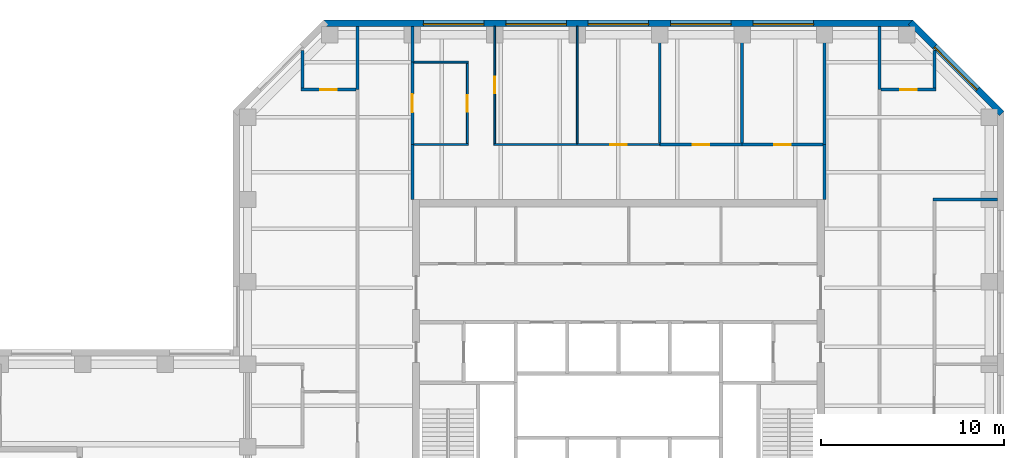
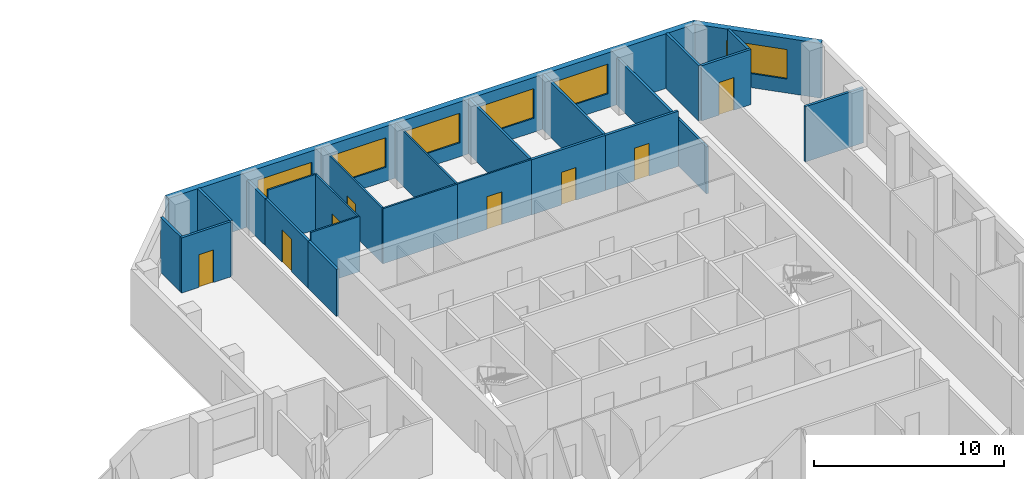
# One storey, part 7 of 9: 25 walls, 8 doors, 6 windows, 14 openings.
"""IFC4 building model written with IfcOpenShell, lengths in metres."""

from ifc_helpers import new_model, si_unit, direction, frame, frame_2d, origin, place, context, subcontext, project, spatial, rectangle, extrude, material, layer, layer_set, constituent, constituent_set, type_object, element, fill, save


model = new_model("IFC4")

# Units and contexts
model_context = context("Model", 3, precision=1e-05, world=origin(), true_north=direction((0.0, 1.0)))
body_context = subcontext(model_context, "Body", "Model", "MODEL_VIEW")
ifc_project = project(units=[si_unit("LENGTHUNIT", "METRE"), si_unit("AREAUNIT", "SQUARE_METRE"), si_unit("VOLUMEUNIT", "CUBIC_METRE"), si_unit("PLANEANGLEUNIT", "RADIAN"), si_unit("MASSUNIT", "GRAM", prefix="KILO")], contexts=[model_context])

# Site, building, storey
site_placement = place(None, origin())
site = spatial("IfcSite", under=ifc_project, at=site_placement, CompositionType="ELEMENT")
building_placement = place(site_placement, origin())
building = spatial("IfcBuilding", under=site, at=building_placement, Name="Quoin Convention Tower", CompositionType="ELEMENT")
storey_placement = place(building_placement, frame((0.0, 0.0, 151.39990234375)))
storey = spatial("IfcBuildingStorey", under=building, at=storey_placement, Name="L39", CompositionType="ELEMENT", Elevation=151.39990234375)

# Wall
ifc_material_1 = material(Name="Plasterboard")
ifc_layer_1 = layer(ifc_material_1, 0.012451171875, Name="Finish")
ifc_material_2 = material(Name="Steel stud framing", Category="steel")
ifc_layer_2 = layer(ifc_material_2, 0.125, Name="Structure")
ifc_layer_3 = layer(ifc_material_1, 0.012451171875, Name="Finish")
ifc_layer_set_1 = layer_set([ifc_layer_1, ifc_layer_2, ifc_layer_3], Name="Steel stud framing")
wall_type_1 = type_object("IfcWallType", Name="Acoustic partition 150", PredefinedType="PARTITIONING", material=ifc_layer_set_1)
wall_1_placement = place(storey_placement, frame((73.425048828125, 72.0, 0.0), z_axis=(0.0, 0.0, 1.0), x_axis=(1.0, 0.0, 0.0)))
element("IfcWall", 1, at=wall_1_placement, inside=storey, type_object=wall_type_1, Name="pw-L39-030", PredefinedType="PARTITIONING", context=body_context, shape_type="SweptSolid", body=[
    extrude(rectangle(XDim=3.52490234375, YDim=0.14990234375, at=frame_2d((1.762451171875, 0.0))), origin(), (0.0, 0.0, 1.0), 3.550048828125),
])

# Wall, opening, door
wall_2_placement = place(storey_placement, frame((58.5, 75.0, 0.0), z_axis=(0.0, 0.0, 1.0), x_axis=(1.0, 0.0, 0.0)))
wall_2 = element("IfcWall", 2, at=wall_2_placement, inside=storey, type_object=wall_type_1, Name="pw-L39-034", PredefinedType="PARTITIONING", context=body_context, shape_type="SweptSolid", body=[
    extrude(rectangle(XDim=4.5, YDim=0.14990234375, at=frame_2d((2.25, 0.0))), origin(), (0.0, 0.0, 1.0), 3.550048828125),
])
opening_1_placement = place(wall_2_placement, frame((1.800048828125, 0.0, 0.0)))
opening_1 = element("IfcOpeningElement", 3, at=opening_1_placement, cuts=wall_2, Name="Opening DOH1-08", PredefinedType="OPENING", context=body_context, shape_type="SweptSolid", body=[
    extrude(rectangle(XDim=0.89990234375, YDim=2.10009765625, at=frame_2d((0.449951171875, 1.050048828125))), frame((0.0, 0.0849609375, 0.0), z_axis=(0.0, -1.0, 0.0), x_axis=(1.0, 0.0, 0.0)), (0.0, 0.0, 1.0), 0.169921875),
])
ifc_material_3 = material(Name="Steel door leaf", Category="steel")
door_type_1 = type_object("IfcDoorType", Name="Office door 900 x 2100", OperationType="SINGLE_SWING_RIGHT", PredefinedType="DOOR", material=ifc_material_3)
door_1_placement = place(opening_1_placement, frame((0.89990234375, 0.0, 0.0), z_axis=(0.0, 0.0, 1.0), x_axis=(-1.0, 0.0, 0.0)))
door_1 = element("IfcDoor", 4, at=door_1_placement, inside=storey, type_object=door_type_1, Name="dr-L39-26", OperationType="SINGLE_SWING_LEFT", OverallHeight=2.10009765625, OverallWidth=0.89990234375, PredefinedType="DOOR", context=body_context, shape_type="SweptSolid", body=[
    extrude(rectangle(XDim=0.89990234375, YDim=2.10009765625, at=frame_2d((0.449951171875, 1.050048828125))), frame((0.0, 0.02490234375, 0.0), z_axis=(0.0, -1.0, 0.0), x_axis=(1.0, 0.0, 0.0)), (0.0, 0.0, 1.0), 0.050048828125),
])
fill(opening_1, door_1)

wall_3_placement = place(storey_placement, frame((63.0, 75.0, 0.0), z_axis=(0.0, 0.0, 1.0), x_axis=(1.0, 0.0, 0.0)))
wall_3 = element("IfcWall", 5, at=wall_3_placement, inside=storey, type_object=wall_type_1, Name="pw-L39-035", PredefinedType="PARTITIONING", context=body_context, shape_type="SweptSolid", body=[
    extrude(rectangle(XDim=4.425048828125, YDim=0.14990234375, at=frame_2d((2.21240234375, 0.0))), origin(), (0.0, 0.0, 1.0), 3.550048828125),
])
opening_2_placement = place(wall_3_placement, frame((1.75, 0.0, 0.0)))
opening_2 = element("IfcOpeningElement", 6, at=opening_2_placement, cuts=wall_3, Name="Opening DOH1-09", PredefinedType="OPENING", context=body_context, shape_type="SweptSolid", body=[
    extrude(rectangle(XDim=0.89990234375, YDim=2.10009765625, at=frame_2d((0.449951171875, 1.050048828125))), frame((0.0, 0.0849609375, 0.0), z_axis=(0.0, -1.0, 0.0), x_axis=(1.0, 0.0, 0.0)), (0.0, 0.0, 1.0), 0.169921875),
])
door_2_placement = place(opening_2_placement, frame((0.89990234375, 0.0, 0.0), z_axis=(0.0, 0.0, 1.0), x_axis=(-1.0, 0.0, 0.0)))
door_2 = element("IfcDoor", 7, at=door_2_placement, inside=storey, type_object=door_type_1, Name="dr-L39-27", OperationType="SINGLE_SWING_LEFT", OverallHeight=2.10009765625, OverallWidth=0.89990234375, PredefinedType="DOOR", context=body_context, shape_type="SweptSolid", body=[
    extrude(rectangle(XDim=0.89990234375, YDim=2.10009765625, at=frame_2d((0.449951171875, 1.050048828125))), frame((0.0, 0.02490234375, 0.0), z_axis=(0.0, -1.0, 0.0), x_axis=(1.0, 0.0, 0.0)), (0.0, 0.0, 1.0), 0.050048828125),
])
fill(opening_2, door_2)

# Walls
for number, where, z_axis, x_axis, name in (
    (8, (58.5, 75.074951171875, 0.0), (0.0, 0.0, 1.0), (0.0, 1.0, 0.0), "pw-L39-085"),
    (9, (63.0, 75.074951171875, 0.0), (0.0, 0.0, 1.0), (0.0, 1.0, 0.0), "pw-L39-086"),
):
    element("IfcWall", number, at=place(storey_placement, frame(where, z_axis=z_axis, x_axis=x_axis)), inside=storey, type_object=wall_type_1, Name=name, PredefinedType="PARTITIONING", context=body_context, shape_type="SweptSolid", body=[
        extrude(rectangle(XDim=6.375, YDim=0.14990234375, at=frame_2d((3.1875, 0.0))), origin(), (0.0, 0.0, 1.0), 3.550048828125),
    ])

# Wall, opening, window
ifc_material_4 = material(Name="Brick masonry", Category="masonry")
ifc_layer_4 = layer(ifc_material_4, 0.35009765625)
ifc_layer_set_2 = layer_set([ifc_layer_4], Name="Brick masonry")
wall_type_2 = type_object("IfcWallType", Name="Brick facade wall", PredefinedType="STANDARD", material=ifc_layer_set_2)
wall_4_placement = place(storey_placement, frame((77.17626953125, 76.70751953125, 0.0), z_axis=(0.0, 0.0, 1.0), x_axis=(-0.707106781187, 0.707106781187, 0.0)))
wall_4 = element("IfcWall", 10, at=wall_4_placement, inside=storey, type_object=wall_type_2, Name="fw-L39-76500_76500", PredefinedType="STANDARD", context=body_context, shape_type="SweptSolid", body=[
    extrude(rectangle(XDim=7.02685546875, YDim=0.35009765625, at=frame_2d((3.513427734375, 0.0))), origin(), (0.0, 0.0, 1.0), 3.525146484375),
])
opening_3_placement = place(wall_4_placement, frame((1.86328125, 0.0, 0.89990234375)))
opening_3 = element("IfcOpeningElement", 11, at=opening_3_placement, cuts=wall_4, Name="Opening W-02", PredefinedType="OPENING", context=body_context, shape_type="SweptSolid", body=[
    extrude(rectangle(XDim=3.300048828125, YDim=1.89990234375, at=frame_2d((1.64990234375, 0.949951171875))), frame((0.0, 0.18505859375, 0.0), z_axis=(0.0, -1.0, 0.0), x_axis=(1.0, 0.0, 0.0)), (0.0, 0.0, 1.0), 0.3701171875),
])
ifc_material_5 = material(Name="Aluminium", Category="aluminium")
ifc_constituent_1 = constituent(ifc_material_5, Name="Frame")
ifc_material_6 = material(Name="Insulated glass", Category="glass")
ifc_constituent_2 = constituent(ifc_material_6, Name="Glazing")
ifc_constituent_set = constituent_set(constituents=[ifc_constituent_1, ifc_constituent_2], Name="Aluminium")
window_type = type_object("IfcWindowType", Name="Office window", PartitioningType="DOUBLE_PANEL_VERTICAL", PredefinedType="WINDOW", material=ifc_constituent_set)
window_1_placement = place(opening_3_placement, origin())
window_1 = element("IfcWindow", 12, at=window_1_placement, inside=storey, type_object=window_type, Name="win-L39-74692_79192", OverallHeight=1.89990234375, OverallWidth=3.300048828125, PartitioningType="SINGLE_PANEL", PredefinedType="WINDOW", context=body_context, shape_type="SweptSolid", body=[
    extrude(rectangle(XDim=3.300048828125, YDim=1.89990234375, at=frame_2d((1.64990234375, 0.949951171875))), frame((0.0, 0.0849609375, 0.0), z_axis=(0.0, -1.0, 0.0), x_axis=(1.0, 0.0, 0.0)), (0.0, 0.0, 1.0), 0.06005859375),
])
fill(opening_3, window_1)

# Wall, openings, windows
wall_5_placement = place(storey_placement, frame((72.331298828125, 81.625, 0.0), z_axis=(0.0, 0.0, 1.0), x_axis=(-1.0, 0.0, 0.0)))
wall_5 = element("IfcWall", 13, at=wall_5_placement, inside=storey, type_object=wall_type_2, Name="fw-L39-72000_81000", PredefinedType="STANDARD", context=body_context, shape_type="SweptSolid", body=[
    extrude(rectangle(XDim=32.16259765625, YDim=0.35009765625, at=frame_2d((16.081298828125, 0.0))), origin(), (0.0, 0.0, 1.0), 3.525146484375),
])
opening_4_placement = place(wall_5_placement, frame((5.431396484375, 0.0, 0.89990234375)))
opening_4 = element("IfcOpeningElement", 14, at=opening_4_placement, cuts=wall_5, Name="Opening W-02", PredefinedType="OPENING", context=body_context, shape_type="SweptSolid", body=[
    extrude(rectangle(XDim=3.300048828125, YDim=1.89990234375, at=frame_2d((1.64990234375, 0.949951171875))), frame((0.0, 0.18505859375, 0.0), z_axis=(0.0, -1.0, 0.0), x_axis=(1.0, 0.0, 0.0)), (0.0, 0.0, 1.0), 0.3701171875),
])
opening_5_placement = place(wall_5_placement, frame((9.931396484375, 0.0, 0.89990234375)))
opening_5 = element("IfcOpeningElement", 15, at=opening_5_placement, cuts=wall_5, Name="Opening W-02", PredefinedType="OPENING", context=body_context, shape_type="SweptSolid", body=[
    extrude(rectangle(XDim=3.300048828125, YDim=1.89990234375, at=frame_2d((1.64990234375, 0.949951171875))), frame((0.0, 0.18505859375, 0.0), z_axis=(0.0, -1.0, 0.0), x_axis=(1.0, 0.0, 0.0)), (0.0, 0.0, 1.0), 0.3701171875),
])
opening_6_placement = place(wall_5_placement, frame((14.431396484375, 0.0, 0.89990234375)))
opening_6 = element("IfcOpeningElement", 16, at=opening_6_placement, cuts=wall_5, Name="Opening W-02", PredefinedType="OPENING", context=body_context, shape_type="SweptSolid", body=[
    extrude(rectangle(XDim=3.300048828125, YDim=1.89990234375, at=frame_2d((1.64990234375, 0.949951171875))), frame((0.0, 0.18505859375, 0.0), z_axis=(0.0, -1.0, 0.0), x_axis=(1.0, 0.0, 0.0)), (0.0, 0.0, 1.0), 0.3701171875),
])
opening_7_placement = place(wall_5_placement, frame((18.931396484375, 0.0, 0.89990234375)))
opening_7 = element("IfcOpeningElement", 17, at=opening_7_placement, cuts=wall_5, Name="Opening W-02", PredefinedType="OPENING", context=body_context, shape_type="SweptSolid", body=[
    extrude(rectangle(XDim=3.300048828125, YDim=1.89990234375, at=frame_2d((1.64990234375, 0.949951171875))), frame((0.0, 0.18505859375, 0.0), z_axis=(0.0, -1.0, 0.0), x_axis=(1.0, 0.0, 0.0)), (0.0, 0.0, 1.0), 0.3701171875),
])
opening_8_placement = place(wall_5_placement, frame((23.431396484375, 0.0, 0.89990234375)))
opening_8 = element("IfcOpeningElement", 18, at=opening_8_placement, cuts=wall_5, Name="Opening W-02", PredefinedType="OPENING", context=body_context, shape_type="SweptSolid", body=[
    extrude(rectangle(XDim=3.300048828125, YDim=1.89990234375, at=frame_2d((1.64990234375, 0.949951171875))), frame((0.0, 0.18505859375, 0.0), z_axis=(0.0, -1.0, 0.0), x_axis=(1.0, 0.0, 0.0)), (0.0, 0.0, 1.0), 0.3701171875),
])
window_2_placement = place(opening_4_placement, origin())
window_2 = element("IfcWindow", 19, at=window_2_placement, inside=storey, type_object=window_type, Name="win-L39-65250_81625", OverallHeight=1.89990234375, OverallWidth=3.300048828125, PartitioningType="SINGLE_PANEL", PredefinedType="WINDOW", context=body_context, shape_type="SweptSolid", body=[
    extrude(rectangle(XDim=3.300048828125, YDim=1.89990234375, at=frame_2d((1.64990234375, 0.949951171875))), frame((0.0, 0.0849609375, 0.0), z_axis=(0.0, -1.0, 0.0), x_axis=(1.0, 0.0, 0.0)), (0.0, 0.0, 1.0), 0.06005859375),
])
fill(opening_4, window_2)
window_3_placement = place(opening_5_placement, origin())
window_3 = element("IfcWindow", 20, at=window_3_placement, inside=storey, type_object=window_type, Name="win-L39-60750_81625", OverallHeight=1.89990234375, OverallWidth=3.300048828125, PartitioningType="SINGLE_PANEL", PredefinedType="WINDOW", context=body_context, shape_type="SweptSolid", body=[
    extrude(rectangle(XDim=3.300048828125, YDim=1.89990234375, at=frame_2d((1.64990234375, 0.949951171875))), frame((0.0, 0.0849609375, 0.0), z_axis=(0.0, -1.0, 0.0), x_axis=(1.0, 0.0, 0.0)), (0.0, 0.0, 1.0), 0.06005859375),
])
fill(opening_5, window_3)
window_4_placement = place(opening_6_placement, origin())
window_4 = element("IfcWindow", 21, at=window_4_placement, inside=storey, type_object=window_type, Name="win-L39-56250_81625", OverallHeight=1.89990234375, OverallWidth=3.300048828125, PartitioningType="SINGLE_PANEL", PredefinedType="WINDOW", context=body_context, shape_type="SweptSolid", body=[
    extrude(rectangle(XDim=3.300048828125, YDim=1.89990234375, at=frame_2d((1.64990234375, 0.949951171875))), frame((0.0, 0.0849609375, 0.0), z_axis=(0.0, -1.0, 0.0), x_axis=(1.0, 0.0, 0.0)), (0.0, 0.0, 1.0), 0.06005859375),
])
fill(opening_6, window_4)
window_5_placement = place(opening_7_placement, origin())
window_5 = element("IfcWindow", 22, at=window_5_placement, inside=storey, type_object=window_type, Name="win-L39-51750_81625", OverallHeight=1.89990234375, OverallWidth=3.300048828125, PartitioningType="SINGLE_PANEL", PredefinedType="WINDOW", context=body_context, shape_type="SweptSolid", body=[
    extrude(rectangle(XDim=3.300048828125, YDim=1.89990234375, at=frame_2d((1.64990234375, 0.949951171875))), frame((0.0, 0.0849609375, 0.0), z_axis=(0.0, -1.0, 0.0), x_axis=(1.0, 0.0, 0.0)), (0.0, 0.0, 1.0), 0.06005859375),
])
fill(opening_7, window_5)
window_6_placement = place(opening_8_placement, origin())
window_6 = element("IfcWindow", 23, at=window_6_placement, inside=storey, type_object=window_type, Name="win-L39-47250_81625", OverallHeight=1.89990234375, OverallWidth=3.300048828125, PartitioningType="SINGLE_PANEL", PredefinedType="WINDOW", context=body_context, shape_type="SweptSolid", body=[
    extrude(rectangle(XDim=3.300048828125, YDim=1.89990234375, at=frame_2d((1.64990234375, 0.949951171875))), frame((0.0, 0.0849609375, 0.0), z_axis=(0.0, -1.0, 0.0), x_axis=(1.0, 0.0, 0.0)), (0.0, 0.0, 1.0), 0.06005859375),
])
fill(opening_8, window_6)

# Walls
ifc_layer_5 = layer(ifc_material_1, 0.012451171875, Name="Finish")
ifc_layer_6 = layer(ifc_material_2, 0.125, Name="Structure")
ifc_layer_7 = layer(ifc_material_1, 0.012451171875, Name="Finish")
ifc_layer_set_3 = layer_set([ifc_layer_5, ifc_layer_6, ifc_layer_7], Name="Steel stud framing")
wall_type_3 = type_object("IfcWallType", Name="Corridor wall 150", PredefinedType="PARTITIONING", material=ifc_layer_set_3)
for number, where, z_axis, x_axis, name in (
    (24, (42.0, 78.0, 0.0), (0.0, 0.0, 1.0), (0.0, 1.0, 0.0), "pw-L39-087"),
    (25, (70.5, 78.0, 0.0), (0.0, 0.0, 1.0), (0.0, 1.0, 0.0), "pw-L39-088"),
):
    element("IfcWall", number, at=place(storey_placement, frame(where, z_axis=z_axis, x_axis=x_axis)), inside=storey, type_object=wall_type_3, Name=name, PredefinedType="PARTITIONING", context=body_context, shape_type="SweptSolid", body=[
        extrude(rectangle(XDim=3.449951171875, YDim=0.14990234375, at=frame_2d((1.72509765625, 0.0))), origin(), (0.0, 0.0, 1.0), 3.550048828125),
    ])
ifc_layer_8 = layer(ifc_material_1, 0.012451171875, Name="Finish")
ifc_layer_9 = layer(ifc_material_2, 0.125, Name="Structure")
ifc_layer_10 = layer(ifc_material_1, 0.012451171875, Name="Finish")
ifc_layer_set_4 = layer_set([ifc_layer_8, ifc_layer_9, ifc_layer_10], Name="Steel stud framing")
wall_type_4 = type_object("IfcWallType", Name="Corridor wall 150 under beam 528", PredefinedType="PARTITIONING", material=ifc_layer_set_4)
for number, where, z_axis, x_axis, name in (
    (26, (45.0, 72.0, 0.0), (0.0, 0.0, 1.0), (0.0, 1.0, 0.0), "pw-L39-078"),
    (27, (67.5, 72.0, 0.0), (0.0, 0.0, 1.0), (0.0, 1.0, 0.0), "pw-L39-079"),
):
    element("IfcWall", number, at=place(storey_placement, frame(where, z_axis=z_axis, x_axis=x_axis)), inside=storey, type_object=wall_type_4, Name=name, PredefinedType="PARTITIONING", context=body_context, shape_type="SweptSolid", body=[
        extrude(rectangle(XDim=3.0, YDim=0.14990234375, at=frame_2d((1.5, 0.0))), origin(), (0.0, 0.0, 1.0), 3.022216796875),
    ])

# Wall, opening, door
wall_6_placement = place(storey_placement, frame((45.0, 75.0, 0.0), z_axis=(0.0, 0.0, 1.0), x_axis=(0.0, 1.0, 0.0)))
wall_6 = element("IfcWall", 28, at=wall_6_placement, inside=storey, type_object=wall_type_4, Name="pw-L39-080", PredefinedType="PARTITIONING", context=body_context, shape_type="SweptSolid", body=[
    extrude(rectangle(XDim=4.5, YDim=0.14990234375, at=frame_2d((2.25, 0.0))), origin(), (0.0, 0.0, 1.0), 3.022216796875),
])
opening_9_placement = place(wall_6_placement, frame((1.75, 0.0, 0.0)))
opening_9 = element("IfcOpeningElement", 29, at=opening_9_placement, cuts=wall_6, Name="Opening DOH1-24", PredefinedType="OPENING", context=body_context, shape_type="SweptSolid", body=[
    extrude(rectangle(XDim=1.0, YDim=2.10009765625, at=frame_2d((0.5, 1.050048828125))), frame((0.0, 0.0849609375, 0.0), z_axis=(0.0, -1.0, 0.0), x_axis=(1.0, 0.0, 0.0)), (0.0, 0.0, 1.0), 0.169921875),
])
door_type_2 = type_object("IfcDoorType", Name="Tenancy entrance door 1000 x 2100", OperationType="DOUBLE_DOOR_SINGLE_SWING", PredefinedType="DOOR", material=ifc_material_3)
door_3_placement = place(opening_9_placement, frame((1.0, 0.0, 0.0), z_axis=(0.0, 0.0, 1.0), x_axis=(-1.0, 0.0, 0.0)))
door_3 = element("IfcDoor", 30, at=door_3_placement, inside=storey, type_object=door_type_2, Name="dr-L39-22", OperationType="DOUBLE_DOOR_SINGLE_SWING", OverallHeight=2.10009765625, OverallWidth=1.0, PredefinedType="DOOR", context=body_context, shape_type="SweptSolid", body=[
    extrude(rectangle(XDim=1.0, YDim=2.10009765625, at=frame_2d((0.5, 1.050048828125))), frame((0.0, 0.02490234375, 0.0), z_axis=(0.0, -1.0, 0.0), x_axis=(1.0, 0.0, 0.0)), (0.0, 0.0, 1.0), 0.050048828125),
])
fill(opening_9, door_3)

# Walls
wall_7_placement = place(storey_placement, frame((67.5, 75.0, 0.0), z_axis=(0.0, 0.0, 1.0), x_axis=(0.0, 1.0, 0.0)))
element("IfcWall", 31, at=wall_7_placement, inside=storey, type_object=wall_type_4, Name="pw-L39-081", PredefinedType="PARTITIONING", context=body_context, shape_type="SweptSolid", body=[
    extrude(rectangle(XDim=6.449951171875, YDim=0.14990234375, at=frame_2d((3.22509765625, 0.0))), origin(), (0.0, 0.0, 1.0), 3.022216796875),
])
wall_8_placement = place(storey_placement, frame((45.0, 79.5, 0.0), z_axis=(0.0, 0.0, 1.0), x_axis=(0.0, 1.0, 0.0)))
element("IfcWall", 32, at=wall_8_placement, inside=storey, type_object=wall_type_4, Name="pw-L39-091", PredefinedType="PARTITIONING", context=body_context, shape_type="SweptSolid", body=[
    extrude(rectangle(XDim=1.949951171875, YDim=0.14990234375, at=frame_2d((0.97509765625, 0.0))), origin(), (0.0, 0.0, 1.0), 3.022216796875),
])
ifc_layer_11 = layer(ifc_material_1, 0.012451171875, Name="Finish")
ifc_layer_12 = layer(ifc_material_2, 0.074951171875, Name="Structure")
ifc_layer_13 = layer(ifc_material_1, 0.012451171875, Name="Finish")
ifc_layer_set_5 = layer_set([ifc_layer_11, ifc_layer_12, ifc_layer_13], Name="Steel stud framing")
wall_type_5 = type_object("IfcWallType", Name="Stud partition 100", PredefinedType="PARTITIONING", material=ifc_layer_set_5)
wall_9_placement = place(storey_placement, frame((45.074951171875, 75.0, 0.0), z_axis=(0.0, 0.0, 1.0), x_axis=(1.0, 0.0, 0.0)))
element("IfcWall", 33, at=wall_9_placement, inside=storey, type_object=wall_type_5, Name="pw-L39-031", PredefinedType="PARTITIONING", context=body_context, shape_type="SweptSolid", body=[
    extrude(rectangle(XDim=2.97509765625, YDim=0.10009765625, at=frame_2d((1.487548828125, 0.0))), origin(), (0.0, 0.0, 1.0), 3.550048828125),
])
wall_10_placement = place(storey_placement, frame((49.449951171875, 75.0, 0.0), z_axis=(0.0, 0.0, 1.0), x_axis=(1.0, 0.0, 0.0)))
element("IfcWall", 34, at=wall_10_placement, inside=storey, type_object=wall_type_5, Name="pw-L39-032", PredefinedType="PARTITIONING", context=body_context, shape_type="SweptSolid", body=[
    extrude(rectangle(XDim=4.550048828125, YDim=0.10009765625, at=frame_2d((2.27490234375, 0.0))), origin(), (0.0, 0.0, 1.0), 3.550048828125),
])

# Wall, opening, door
wall_11_placement = place(storey_placement, frame((54.0, 75.0, 0.0), z_axis=(0.0, 0.0, 1.0), x_axis=(1.0, 0.0, 0.0)))
wall_11 = element("IfcWall", 35, at=wall_11_placement, inside=storey, type_object=wall_type_5, Name="pw-L39-033", PredefinedType="PARTITIONING", context=body_context, shape_type="SweptSolid", body=[
    extrude(rectangle(XDim=4.5, YDim=0.10009765625, at=frame_2d((2.25, 0.0))), origin(), (0.0, 0.0, 1.0), 3.550048828125),
])
opening_10_placement = place(wall_11_placement, frame((1.800048828125, 0.0, 0.0)))
opening_10 = element("IfcOpeningElement", 36, at=opening_10_placement, cuts=wall_11, Name="Opening DOH1-07", PredefinedType="OPENING", context=body_context, shape_type="SweptSolid", body=[
    extrude(rectangle(XDim=0.89990234375, YDim=2.10009765625, at=frame_2d((0.449951171875, 1.050048828125))), frame((0.0, 0.06005859375, 0.0), z_axis=(0.0, -1.0, 0.0), x_axis=(1.0, 0.0, 0.0)), (0.0, 0.0, 1.0), 0.1201171875),
])
door_4_placement = place(opening_10_placement, frame((0.89990234375, 0.0, 0.0), z_axis=(0.0, 0.0, 1.0), x_axis=(-1.0, 0.0, 0.0)))
door_4 = element("IfcDoor", 37, at=door_4_placement, inside=storey, type_object=door_type_1, Name="dr-L39-25", OperationType="SINGLE_SWING_LEFT", OverallHeight=2.10009765625, OverallWidth=0.89990234375, PredefinedType="DOOR", context=body_context, shape_type="SweptSolid", body=[
    extrude(rectangle(XDim=0.89990234375, YDim=2.10009765625, at=frame_2d((0.449951171875, 1.050048828125))), frame((0.0, 0.02490234375, 0.0), z_axis=(0.0, -1.0, 0.0), x_axis=(1.0, 0.0, 0.0)), (0.0, 0.0, 1.0), 0.050048828125),
])
fill(opening_10, door_4)

# Wall
wall_12_placement = place(storey_placement, frame((45.074951171875, 79.5, 0.0), z_axis=(0.0, 0.0, 1.0), x_axis=(1.0, 0.0, 0.0)))
element("IfcWall", 38, at=wall_12_placement, inside=storey, type_object=wall_type_5, Name="pw-L39-038", PredefinedType="PARTITIONING", context=body_context, shape_type="SweptSolid", body=[
    extrude(rectangle(XDim=2.97509765625, YDim=0.10009765625, at=frame_2d((1.487548828125, 0.0))), origin(), (0.0, 0.0, 1.0), 3.550048828125),
])

# Wall, opening, door
wall_13_placement = place(storey_placement, frame((48.0, 75.050048828125, 0.0), z_axis=(0.0, 0.0, 1.0), x_axis=(0.0, 1.0, 0.0)))
wall_13 = element("IfcWall", 39, at=wall_13_placement, inside=storey, type_object=wall_type_5, Name="pw-L39-082", PredefinedType="PARTITIONING", context=body_context, shape_type="SweptSolid", body=[
    extrude(rectangle(XDim=4.39990234375, YDim=0.10009765625, at=frame_2d((2.199951171875, 0.0))), origin(), (0.0, 0.0, 1.0), 3.550048828125),
])
opening_11_placement = place(wall_13_placement, frame((1.75, 0.0, 0.0)))
opening_11 = element("IfcOpeningElement", 40, at=opening_11_placement, cuts=wall_13, Name="Opening DOH1-25", PredefinedType="OPENING", context=body_context, shape_type="SweptSolid", body=[
    extrude(rectangle(XDim=0.89990234375, YDim=2.10009765625, at=frame_2d((0.449951171875, 1.050048828125))), frame((0.0, 0.06005859375, 0.0), z_axis=(0.0, -1.0, 0.0), x_axis=(1.0, 0.0, 0.0)), (0.0, 0.0, 1.0), 0.1201171875),
])
door_5_placement = place(opening_11_placement, frame((0.89990234375, 0.0, 0.0), z_axis=(0.0, 0.0, 1.0), x_axis=(-1.0, 0.0, 0.0)))
door_5 = element("IfcDoor", 41, at=door_5_placement, inside=storey, type_object=door_type_1, Name="dr-L39-23", OperationType="SINGLE_SWING_LEFT", OverallHeight=2.10009765625, OverallWidth=0.89990234375, PredefinedType="DOOR", context=body_context, shape_type="SweptSolid", body=[
    extrude(rectangle(XDim=0.89990234375, YDim=2.10009765625, at=frame_2d((0.449951171875, 1.050048828125))), frame((0.0, 0.02490234375, 0.0), z_axis=(0.0, -1.0, 0.0), x_axis=(1.0, 0.0, 0.0)), (0.0, 0.0, 1.0), 0.050048828125),
])
fill(opening_11, door_5)

wall_14_placement = place(storey_placement, frame((49.5, 75.050048828125, 0.0), z_axis=(0.0, 0.0, 1.0), x_axis=(0.0, 1.0, 0.0)))
wall_14 = element("IfcWall", 42, at=wall_14_placement, inside=storey, type_object=wall_type_5, Name="pw-L39-083", PredefinedType="PARTITIONING", context=body_context, shape_type="SweptSolid", body=[
    extrude(rectangle(XDim=6.39990234375, YDim=0.10009765625, at=frame_2d((3.199951171875, 0.0))), origin(), (0.0, 0.0, 1.0), 3.550048828125),
])
opening_12_placement = place(wall_14_placement, frame((2.75, 0.0, 0.0)))
opening_12 = element("IfcOpeningElement", 43, at=opening_12_placement, cuts=wall_14, Name="Opening DOH1-26", PredefinedType="OPENING", context=body_context, shape_type="SweptSolid", body=[
    extrude(rectangle(XDim=0.89990234375, YDim=2.10009765625, at=frame_2d((0.449951171875, 1.050048828125))), frame((0.0, 0.06005859375, 0.0), z_axis=(0.0, -1.0, 0.0), x_axis=(1.0, 0.0, 0.0)), (0.0, 0.0, 1.0), 0.1201171875),
])
door_6_placement = place(opening_12_placement, origin())
door_6 = element("IfcDoor", 44, at=door_6_placement, inside=storey, type_object=door_type_1, Name="dr-L39-24", OperationType="SINGLE_SWING_RIGHT", OverallHeight=2.10009765625, OverallWidth=0.89990234375, PredefinedType="DOOR", context=body_context, shape_type="SweptSolid", body=[
    extrude(rectangle(XDim=0.89990234375, YDim=2.10009765625, at=frame_2d((0.449951171875, 1.050048828125))), frame((0.0, 0.02490234375, 0.0), z_axis=(0.0, -1.0, 0.0), x_axis=(1.0, 0.0, 0.0)), (0.0, 0.0, 1.0), 0.050048828125),
])
fill(opening_12, door_6)

# Wall
wall_15_placement = place(storey_placement, frame((54.0, 75.050048828125, 0.0), z_axis=(0.0, 0.0, 1.0), x_axis=(0.0, 1.0, 0.0)))
element("IfcWall", 45, at=wall_15_placement, inside=storey, type_object=wall_type_5, Name="pw-L39-084", PredefinedType="PARTITIONING", context=body_context, shape_type="SweptSolid", body=[
    extrude(rectangle(XDim=6.39990234375, YDim=0.10009765625, at=frame_2d((3.199951171875, 0.0))), origin(), (0.0, 0.0, 1.0), 3.550048828125),
])

# Wall, opening, door
ifc_layer_14 = layer(ifc_material_1, 0.012451171875, Name="Finish")
ifc_layer_15 = layer(ifc_material_2, 0.125, Name="Structure")
ifc_layer_16 = layer(ifc_material_1, 0.012451171875, Name="Finish")
ifc_layer_set_6 = layer_set([ifc_layer_14, ifc_layer_15, ifc_layer_16], Name="Steel stud framing")
wall_type_6 = type_object("IfcWallType", Name="Wet area partition 150", PredefinedType="PARTITIONING", material=ifc_layer_set_6)
wall_16_placement = place(storey_placement, frame((38.925048828125, 78.0, 0.0), z_axis=(0.0, 0.0, 1.0), x_axis=(1.0, 0.0, 0.0)))
wall_16 = element("IfcWall", 46, at=wall_16_placement, inside=storey, type_object=wall_type_6, Name="pw-L39-036", PredefinedType="PARTITIONING", context=body_context, shape_type="SweptSolid", body=[
    extrude(rectangle(XDim=3.0, YDim=0.14990234375, at=frame_2d((1.5, 0.0))), origin(), (0.0, 0.0, 1.0), 3.550048828125),
])
opening_13_placement = place(wall_16_placement, frame((1.050048828125, 0.0, 0.0)))
opening_13 = element("IfcOpeningElement", 47, at=opening_13_placement, cuts=wall_16, Name="Opening DOH1-10", PredefinedType="OPENING", context=body_context, shape_type="SweptSolid", body=[
    extrude(rectangle(XDim=0.89990234375, YDim=2.10009765625, at=frame_2d((0.449951171875, 1.050048828125))), frame((0.0, 0.0849609375, 0.0), z_axis=(0.0, -1.0, 0.0), x_axis=(1.0, 0.0, 0.0)), (0.0, 0.0, 1.0), 0.169921875),
])
door_7_placement = place(opening_13_placement, frame((0.89990234375, 0.0, 0.0), z_axis=(0.0, 0.0, 1.0), x_axis=(-1.0, 0.0, 0.0)))
door_7 = element("IfcDoor", 48, at=door_7_placement, inside=storey, type_object=door_type_1, Name="dr-L39-14", OperationType="SINGLE_SWING_LEFT", OverallHeight=2.10009765625, OverallWidth=0.89990234375, PredefinedType="DOOR", context=body_context, shape_type="SweptSolid", body=[
    extrude(rectangle(XDim=0.89990234375, YDim=2.10009765625, at=frame_2d((0.449951171875, 1.050048828125))), frame((0.0, 0.02490234375, 0.0), z_axis=(0.0, -1.0, 0.0), x_axis=(1.0, 0.0, 0.0)), (0.0, 0.0, 1.0), 0.050048828125),
])
fill(opening_13, door_7)

wall_17_placement = place(storey_placement, frame((70.574951171875, 78.0, 0.0), z_axis=(0.0, 0.0, 1.0), x_axis=(1.0, 0.0, 0.0)))
wall_17 = element("IfcWall", 49, at=wall_17_placement, inside=storey, type_object=wall_type_6, Name="pw-L39-037", PredefinedType="PARTITIONING", context=body_context, shape_type="SweptSolid", body=[
    extrude(rectangle(XDim=3.0, YDim=0.14990234375, at=frame_2d((1.5, 0.0))), origin(), (0.0, 0.0, 1.0), 3.550048828125),
])
opening_14_placement = place(wall_17_placement, frame((1.050048828125, 0.0, 0.0)))
opening_14 = element("IfcOpeningElement", 50, at=opening_14_placement, cuts=wall_17, Name="Opening DOH1-11", PredefinedType="OPENING", context=body_context, shape_type="SweptSolid", body=[
    extrude(rectangle(XDim=0.89990234375, YDim=2.10009765625, at=frame_2d((0.449951171875, 1.050048828125))), frame((0.0, 0.0849609375, 0.0), z_axis=(0.0, -1.0, 0.0), x_axis=(1.0, 0.0, 0.0)), (0.0, 0.0, 1.0), 0.169921875),
])
door_8_placement = place(opening_14_placement, frame((0.89990234375, 0.0, 0.0), z_axis=(0.0, 0.0, 1.0), x_axis=(-1.0, 0.0, 0.0)))
door_8 = element("IfcDoor", 51, at=door_8_placement, inside=storey, type_object=door_type_1, Name="dr-L39-34", OperationType="SINGLE_SWING_LEFT", OverallHeight=2.10009765625, OverallWidth=0.89990234375, PredefinedType="DOOR", context=body_context, shape_type="SweptSolid", body=[
    extrude(rectangle(XDim=0.89990234375, YDim=2.10009765625, at=frame_2d((0.449951171875, 1.050048828125))), frame((0.0, 0.02490234375, 0.0), z_axis=(0.0, -1.0, 0.0), x_axis=(1.0, 0.0, 0.0)), (0.0, 0.0, 1.0), 0.050048828125),
])
fill(opening_14, door_8)

# Walls
for number, where, z_axis, x_axis, name in (
    (52, (39.0, 78.074951171875, 0.0), (0.0, 0.0, 1.0), (0.0, 1.0, 0.0), "pw-L39-089"),
    (53, (73.5, 78.074951171875, 0.0), (0.0, 0.0, 1.0), (0.0, 1.0, 0.0), "pw-L39-090"),
):
    element("IfcWall", number, at=place(storey_placement, frame(where, z_axis=z_axis, x_axis=x_axis)), inside=storey, type_object=wall_type_6, Name=name, PredefinedType="PARTITIONING", context=body_context, shape_type="SweptSolid", body=[
        extrude(rectangle(XDim=2.0615234375, YDim=0.14990234375, at=frame_2d((1.03076171875, 0.0))), origin(), (0.0, 0.0, 1.0), 3.550048828125),
    ])

save(model, "model.ifc")
